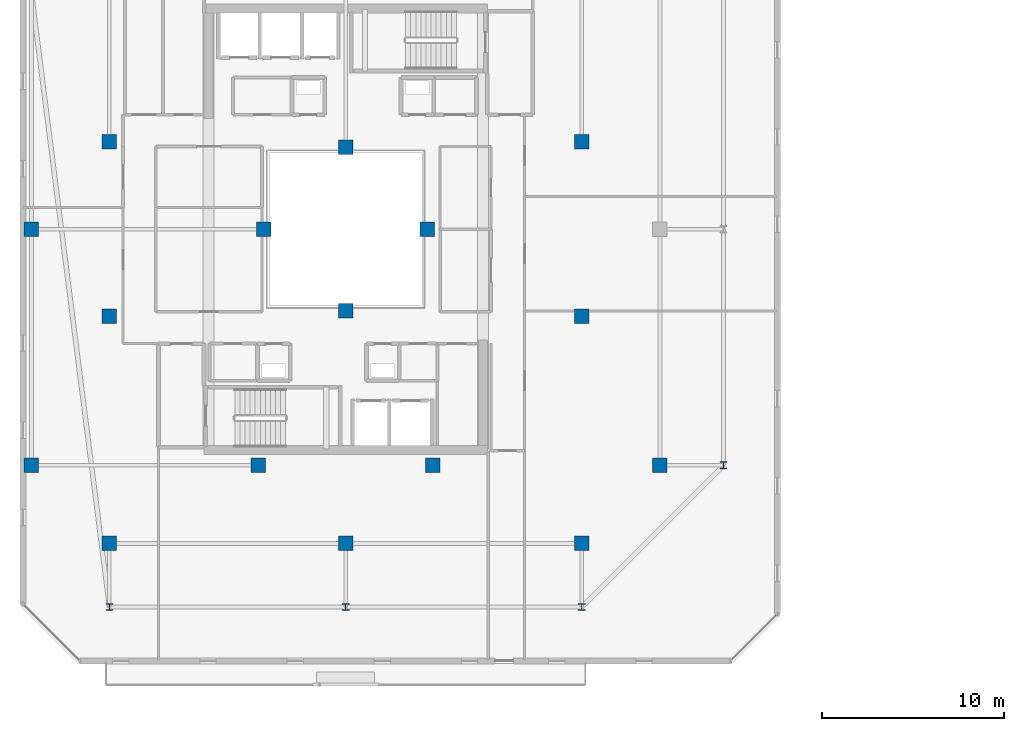
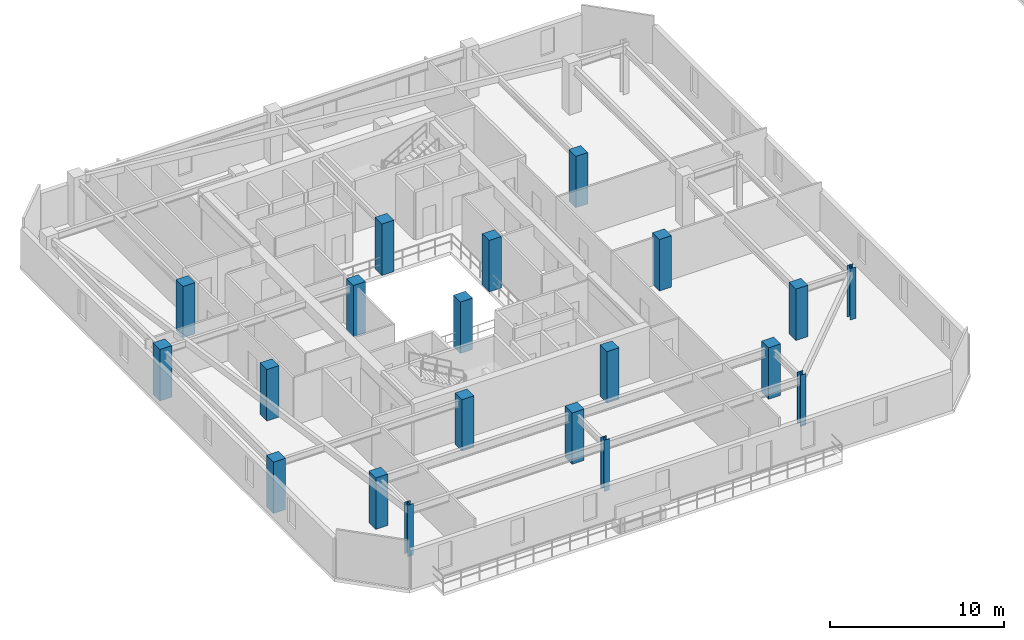
# One storey, part 1 of 35: 20 columns.
"""IFC4 building model written with IfcOpenShell, lengths in metres."""

from ifc_helpers import new_model, si_unit, direction, frame, origin, origin_2d, place, context, subcontext, project, spatial, rectangle, i_section, extrude, material, material_profile, profile_set, type_object, element, save


model = new_model("IFC4")

# Units and contexts
model_context = context("Model", 3, precision=1e-05, world=origin(), true_north=direction((0.0, 1.0)))
body_context = subcontext(model_context, "Body", "Model", "MODEL_VIEW")
ifc_project = project(units=[si_unit("LENGTHUNIT", "METRE"), si_unit("AREAUNIT", "SQUARE_METRE"), si_unit("VOLUMEUNIT", "CUBIC_METRE"), si_unit("PLANEANGLEUNIT", "RADIAN"), si_unit("MASSUNIT", "GRAM", prefix="KILO")], contexts=[model_context])

# Site, building, storey
site_placement = place(None, origin())
site = spatial("IfcSite", under=ifc_project, at=site_placement, CompositionType="ELEMENT")
building_placement = place(site_placement, origin())
building = spatial("IfcBuilding", under=site, at=building_placement, Name="Thornwick Lancets Civic Towers", CompositionType="ELEMENT")
storey_placement = place(building_placement, frame((0.0, 0.0, 269.10009765625)))
storey = spatial("IfcBuildingStorey", under=building, at=storey_placement, Name="L72", CompositionType="ELEMENT", Elevation=269.10009765625)

# Columns
ifc_material_1 = material(Name="Concrete C50/60", Category="concrete")
ifc_material_profile_1 = material_profile(ifc_material_1, rectangle(XDim=0.800048828125, YDim=0.800048828125, at=origin_2d()), Name="RC 800x800")
ifc_profile_set_1 = profile_set([ifc_material_profile_1], Name="Concrete C50/60")
column_type_1 = type_object("IfcColumnType", Name="COL_RC_800", PredefinedType="COLUMN", material=ifc_profile_set_1)
for number, where, z_axis, x_axis, name in (
    (1, (12.5, 9.699951171875, 0.0), (0.0, 0.0, 1.0), (1.0, 0.0, 0.0), "L72 Spine Mega-Column A01"),
    (2, (25.5, 9.699951171875, 0.0), (0.0, 0.0, 1.0), (1.0, 0.0, 0.0), "L72 Spine Mega-Column A02"),
    (3, (38.5, 9.699951171875, 0.0), (0.0, 0.0, 1.0), (1.0, 0.0, 0.0), "L72 Spine Mega-Column A03"),
    (4, (42.800048828125, 14.0, 0.0), (0.0, 0.0, 1.0), (1.0, 0.0, 0.0), "L72 Spine Mega-Column A04"),
    (5, (8.199951171875, 14.0, 0.0), (0.0, 0.0, 1.0), (1.0, 0.0, 0.0), "L72 Spine Mega-Column A10"),
    (6, (8.199951171875, 27.0, 0.0), (0.0, 0.0, 1.0), (1.0, 0.0, 0.0), "L72 Spine Mega-Column A11"),
    (7, (12.5, 22.199951171875, 0.0), (0.0, 0.0, 1.0), (1.0, 0.0, 0.0), "L72 Spine Mega-Column A13"),
    (8, (38.5, 22.199951171875, 0.0), (0.0, 0.0, 1.0), (1.0, 0.0, 0.0), "L72 Spine Mega-Column A14"),
    (9, (12.5, 31.800048828125, 0.0), (0.0, 0.0, 1.0), (1.0, 0.0, 0.0), "L72 Spine Mega-Column A15"),
    (10, (38.5, 31.800048828125, 0.0), (0.0, 0.0, 1.0), (1.0, 0.0, 0.0), "L72 Spine Mega-Column A16"),
    (11, (20.699951171875, 14.0, 0.0), (0.0, 0.0, 1.0), (1.0, 0.0, 0.0), "L72 Spine Mega-Column A17"),
    (12, (30.300048828125, 14.0, 0.0), (0.0, 0.0, 1.0), (1.0, 0.0, 0.0), "L72 Spine Mega-Column A18"),
    (13, (25.5, 22.5, 0.0), (0.0, 0.0, 1.0), (1.0, 0.0, 0.0), "L72 Spine Mega-Column A21"),
    (14, (25.5, 31.5, 0.0), (0.0, 0.0, 1.0), (1.0, 0.0, 0.0), "L72 Spine Mega-Column A22"),
    (15, (21.0, 27.0, 0.0), (0.0, 0.0, 1.0), (1.0, 0.0, 0.0), "L72 Spine Mega-Column A23"),
    (16, (30.0, 27.0, 0.0), (0.0, 0.0, 1.0), (1.0, 0.0, 0.0), "L72 Spine Mega-Column A24"),
):
    element("IfcColumn", number, at=place(storey_placement, frame(where, z_axis=z_axis, x_axis=x_axis)), inside=storey, type_object=column_type_1, Name=name, PredefinedType="COLUMN", context=body_context, shape_type="SweptSolid", body=[
        extrude(rectangle(XDim=0.800048828125, YDim=0.800048828125, at=origin_2d()), origin(), (0.0, 0.0, 1.0), 3.599853515625),
    ])
ifc_material_2 = material(Name="Steel S355JR", Category="steel")
ifc_material_profile_2 = material_profile(ifc_material_2, i_section(OverallWidth=0.374755859375, OverallDepth=0.37451171875, WebThickness=0.0166015625, FlangeThickness=0.027099609375, FilletRadius=0.01513671875, at=origin_2d()), Name="UKC 356x368x202")
ifc_profile_set_2 = profile_set([ifc_material_profile_2], Name="Steel S355JR")
column_type_2 = type_object("IfcColumnType", Name="COL_UKC_202", PredefinedType="COLUMN", material=ifc_profile_set_2)
for number, where, z_axis, x_axis, name in (
    (17, (12.5, 6.199951171875, 0.0), (0.0, 0.0, 1.0), (1.0, 0.0, 0.0), "L72 Block Perimeter Column A01"),
    (18, (25.5, 6.199951171875, 0.0), (0.0, 0.0, 1.0), (1.0, 0.0, 0.0), "L72 Block Perimeter Column A02"),
    (19, (38.5, 6.199951171875, 0.0), (0.0, 0.0, 1.0), (1.0, 0.0, 0.0), "L72 Block Perimeter Column A03"),
    (20, (46.300048828125, 14.0, 0.0), (0.0, 0.0, 1.0), (1.0, 0.0, 0.0), "L72 Block Perimeter Column A04"),
):
    element("IfcColumn", number, at=place(storey_placement, frame(where, z_axis=z_axis, x_axis=x_axis)), inside=storey, type_object=column_type_2, Name=name, PredefinedType="COLUMN", context=body_context, shape_type="SweptSolid", body=[
        extrude(i_section(OverallWidth=0.374755859375, OverallDepth=0.37451171875, WebThickness=0.0166015625, FlangeThickness=0.027099609375, FilletRadius=0.01513671875, at=origin_2d()), origin(), (0.0, 0.0, 1.0), 3.599853515625),
    ])

save(model, "model.ifc")
